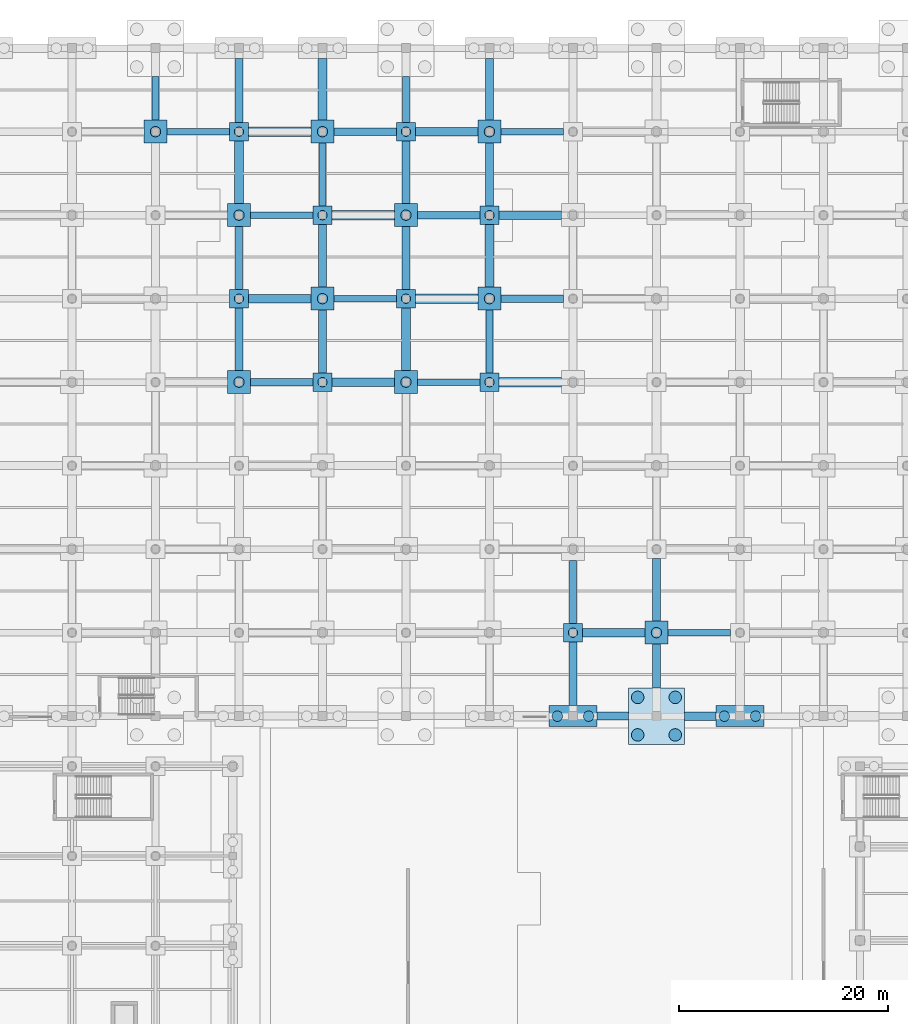
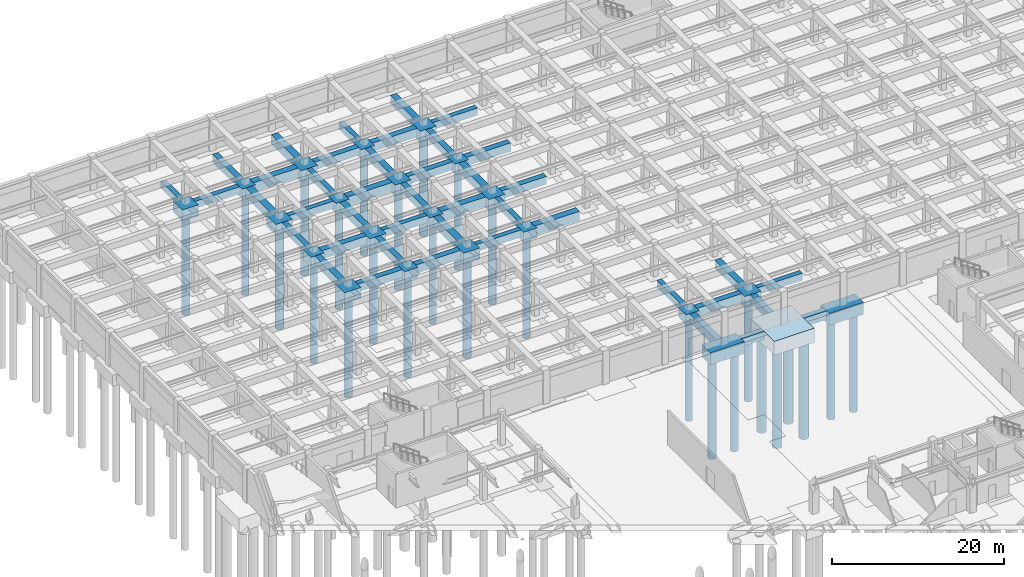
# One storey, part 8 of 48: 64 footings, 27 piles.
"""IFC4 building model written with IfcOpenShell, lengths in metres."""

from ifc_helpers import new_model, si_unit, direction, frame, origin, origin_2d, place, context, subcontext, project, spatial, polyline, rectangle, circle, outline, extrude, material, layer, layer_set, material_profile, profile_set, type_object, element, save


model = new_model("IFC4")

# Units and contexts
model_context = context("Model", 3, precision=1e-05, world=origin(), true_north=direction((0.0, 1.0)))
body_context = subcontext(model_context, "Body", "Model", "MODEL_VIEW")
ifc_project = project(units=[si_unit("LENGTHUNIT", "METRE"), si_unit("AREAUNIT", "SQUARE_METRE"), si_unit("VOLUMEUNIT", "CUBIC_METRE"), si_unit("PLANEANGLEUNIT", "RADIAN"), si_unit("MASSUNIT", "GRAM", prefix="KILO")], contexts=[model_context])

# Site, building, storey
site_placement = place(None, origin())
site = spatial("IfcSite", under=ifc_project, at=site_placement, CompositionType="ELEMENT")
building_placement = place(site_placement, origin())
building = spatial("IfcBuilding", under=site, at=building_placement, Name="Tlacozan Convention Centre", CompositionType="ELEMENT")
storey_placement = place(building_placement, frame((0.0, 0.0, -4.800048828125)))
storey = spatial("IfcBuildingStorey", under=building, at=storey_placement, Name="B01", CompositionType="ELEMENT", Elevation=-4.800048828125)

# Footings
ifc_material = material(Name="Concrete C35/45", Category="concrete")
ifc_layer_1 = layer(ifc_material, 1.0)
ifc_layer_set_1 = layer_set([ifc_layer_1], Name="Concrete C35/45")
footing_type_1 = type_object("IfcFootingType", Name="Foundation Tie Beam 650x1000", PredefinedType="FOOTING_BEAM", material=ifc_layer_set_1)
footing_1_placement = place(storey_placement, frame((0.0, 0.0, -1.0)))
element("IfcFooting", 1, at=footing_1_placement, inside=storey, type_object=footing_type_1, Name="Foundation Tie Beam X-157", PredefinedType="FOOTING_BEAM", context=body_context, shape_type="SweptSolid", body=[
    extrude(outline(polyline([(73.10009765625, 69.675048828125), (79.10009765625, 69.675048828125), (79.10009765625, 70.324951171875), (73.10009765625, 70.324951171875), (73.10009765625, 69.675048828125)])), origin(), (0.0, 0.0, 1.0), 1.0),
])
footing_2_placement = place(storey_placement, frame((0.0, 0.0, -1.0)))
element("IfcFooting", 2, at=footing_2_placement, inside=storey, type_object=footing_type_1, Name="Foundation Tie Beam X-217", PredefinedType="FOOTING_BEAM", context=body_context, shape_type="SweptSolid", body=[
    extrude(outline(polyline([(49.10009765625, 93.675048828125), (55.10009765625, 93.675048828125), (55.10009765625, 94.324951171875), (49.10009765625, 94.324951171875), (49.10009765625, 93.675048828125)])), origin(), (0.0, 0.0, 1.0), 1.0),
])
footing_3_placement = place(storey_placement, frame((0.0, 0.0, -1.0)))
element("IfcFooting", 3, at=footing_3_placement, inside=storey, type_object=footing_type_1, Name="Foundation Tie Beam X-237", PredefinedType="FOOTING_BEAM", context=body_context, shape_type="SweptSolid", body=[
    extrude(outline(polyline([(41.10009765625, 101.675048828125), (47.10009765625, 101.675048828125), (47.10009765625, 102.324951171875), (41.10009765625, 102.324951171875), (41.10009765625, 101.675048828125)])), origin(), (0.0, 0.0, 1.0), 1.0),
])
footing_4_placement = place(storey_placement, frame((0.0, 0.0, -1.0)))
element("IfcFooting", 4, at=footing_4_placement, inside=storey, type_object=footing_type_1, Name="Foundation Tie Beam X-257", PredefinedType="FOOTING_BEAM", context=body_context, shape_type="SweptSolid", body=[
    extrude(outline(polyline([(33.10009765625, 109.675048828125), (39.10009765625, 109.675048828125), (39.10009765625, 110.324951171875), (33.10009765625, 110.324951171875), (33.10009765625, 109.675048828125)])), origin(), (0.0, 0.0, 1.0), 1.0),
])
footing_5_placement = place(storey_placement, frame((0.0, 0.0, -1.0)))
element("IfcFooting", 5, at=footing_5_placement, inside=storey, type_object=footing_type_1, Name="Foundation Tie Beam X-277", PredefinedType="FOOTING_BEAM", context=body_context, shape_type="SweptSolid", body=[
    extrude(outline(polyline([(25.10009765625, 117.675048828125), (31.10009765625, 117.675048828125), (31.10009765625, 118.324951171875), (25.10009765625, 118.324951171875), (25.10009765625, 117.675048828125)])), origin(), (0.0, 0.0, 1.0), 1.0),
])
footing_6_placement = place(storey_placement, frame((0.0, 0.0, -1.0)))
element("IfcFooting", 6, at=footing_6_placement, inside=storey, type_object=footing_type_1, Name="Foundation Tie Beam X-281", PredefinedType="FOOTING_BEAM", context=body_context, shape_type="SweptSolid", body=[
    extrude(outline(polyline([(57.10009765625, 117.675048828125), (63.10009765625, 117.675048828125), (63.10009765625, 118.324951171875), (57.10009765625, 118.324951171875), (57.10009765625, 117.675048828125)])), origin(), (0.0, 0.0, 1.0), 1.0),
])
footing_7_placement = place(storey_placement, frame((0.0, 0.0, -1.0)))
element("IfcFooting", 7, at=footing_7_placement, inside=storey, type_object=footing_type_1, Name="Foundation Tie Beam Y-369", PredefinedType="FOOTING_BEAM", context=body_context, shape_type="SweptSolid", body=[
    extrude(outline(polyline([(23.675048828125, 119.10009765625), (24.324951171875, 119.10009765625), (24.324951171875, 123.300048828125), (23.675048828125, 123.300048828125), (23.675048828125, 119.10009765625)])), origin(), (0.0, 0.0, 1.0), 1.0),
])
footing_8_placement = place(storey_placement, frame((0.0, 0.0, -1.0)))
element("IfcFooting", 8, at=footing_8_placement, inside=storey, type_object=footing_type_1, Name="Foundation Tie Beam Y-381", PredefinedType="FOOTING_BEAM", context=body_context, shape_type="SweptSolid", body=[
    extrude(outline(polyline([(31.675048828125, 102.89990234375), (32.324951171875, 102.89990234375), (32.324951171875, 108.89990234375), (31.675048828125, 108.89990234375), (31.675048828125, 102.89990234375)])), origin(), (0.0, 0.0, 1.0), 1.0),
])
footing_9_placement = place(storey_placement, frame((0.0, 0.0, -1.0)))
element("IfcFooting", 9, at=footing_9_placement, inside=storey, type_object=footing_type_1, Name="Foundation Tie Beam Y-393", PredefinedType="FOOTING_BEAM", context=body_context, shape_type="SweptSolid", body=[
    extrude(outline(polyline([(39.675048828125, 110.89990234375), (40.324951171875, 110.89990234375), (40.324951171875, 116.89990234375), (39.675048828125, 116.89990234375), (39.675048828125, 110.89990234375)])), origin(), (0.0, 0.0, 1.0), 1.0),
])
footing_10_placement = place(storey_placement, frame((0.0, 0.0, -1.0)))
element("IfcFooting", 10, at=footing_10_placement, inside=storey, type_object=footing_type_1, Name="Foundation Tie Beam Y-405", PredefinedType="FOOTING_BEAM", context=body_context, shape_type="SweptSolid", body=[
    extrude(outline(polyline([(47.675048828125, 118.89990234375), (48.324951171875, 118.89990234375), (48.324951171875, 123.300048828125), (47.675048828125, 123.300048828125), (47.675048828125, 118.89990234375)])), origin(), (0.0, 0.0, 1.0), 1.0),
])
footing_11_placement = place(storey_placement, frame((0.0, 0.0, -1.0)))
element("IfcFooting", 11, at=footing_11_placement, inside=storey, type_object=footing_type_1, Name="Foundation Tie Beam Y-413", PredefinedType="FOOTING_BEAM", context=body_context, shape_type="SweptSolid", body=[
    extrude(outline(polyline([(55.675048828125, 94.89990234375), (56.324951171875, 94.89990234375), (56.324951171875, 100.89990234375), (55.675048828125, 100.89990234375), (55.675048828125, 94.89990234375)])), origin(), (0.0, 0.0, 1.0), 1.0),
])
footing_12_placement = place(storey_placement, frame((0.0, 0.0, -1.0)))
element("IfcFooting", 12, at=footing_12_placement, inside=storey, type_object=footing_type_1, Name="Foundation Tie Beam Y-421", PredefinedType="FOOTING_BEAM", context=body_context, shape_type="SweptSolid", body=[
    extrude(outline(polyline([(63.675048828125, 70.89990234375), (64.324951171875, 70.89990234375), (64.324951171875, 76.89990234375), (63.675048828125, 76.89990234375), (63.675048828125, 70.89990234375)])), origin(), (0.0, 0.0, 1.0), 1.0),
])
ifc_layer_2 = layer(ifc_material, 1.10009765625)
ifc_layer_set_2 = layer_set([ifc_layer_2], Name="Concrete C35/45")
footing_type_2 = type_object("IfcFootingType", Name="Foundation Tie Beam 750x1100", PredefinedType="FOOTING_BEAM", material=ifc_layer_set_2)
footing_13_placement = place(storey_placement, frame((0.0, 0.0, -1.099853515625)))
element("IfcFooting", 13, at=footing_13_placement, inside=storey, type_object=footing_type_2, Name="Foundation Tie Beam X-135", PredefinedType="FOOTING_BEAM", context=body_context, shape_type="SweptSolid", body=[
    extrude(outline(polyline([(66.300048828125, 61.625), (69.300048828125, 61.625), (69.300048828125, 62.375), (66.300048828125, 62.375), (66.300048828125, 61.625)])), origin(), (0.0, 0.0, 1.0), 1.099853515625),
])
footing_14_placement = place(storey_placement, frame((0.0, 0.0, -1.099853515625)))
element("IfcFooting", 14, at=footing_14_placement, inside=storey, type_object=footing_type_2, Name="Foundation Tie Beam X-215", PredefinedType="FOOTING_BEAM", context=body_context, shape_type="SweptSolid", body=[
    extrude(outline(polyline([(33.10009765625, 93.625), (39.10009765625, 93.625), (39.10009765625, 94.375), (33.10009765625, 94.375), (33.10009765625, 93.625)])), origin(), (0.0, 0.0, 1.0), 1.099853515625),
])
footing_15_placement = place(storey_placement, frame((0.0, 0.0, -1.099853515625)))
element("IfcFooting", 15, at=footing_15_placement, inside=storey, type_object=footing_type_2, Name="Foundation Tie Beam X-239", PredefinedType="FOOTING_BEAM", context=body_context, shape_type="SweptSolid", body=[
    extrude(outline(polyline([(57.10009765625, 101.625), (63.10009765625, 101.625), (63.10009765625, 102.375), (57.10009765625, 102.375), (57.10009765625, 101.625)])), origin(), (0.0, 0.0, 1.0), 1.099853515625),
])
footing_16_placement = place(storey_placement, frame((0.0, 0.0, -1.099853515625)))
element("IfcFooting", 16, at=footing_16_placement, inside=storey, type_object=footing_type_2, Name="Foundation Tie Beam X-259", PredefinedType="FOOTING_BEAM", context=body_context, shape_type="SweptSolid", body=[
    extrude(outline(polyline([(49.10009765625, 109.625), (55.10009765625, 109.625), (55.10009765625, 110.375), (49.10009765625, 110.375), (49.10009765625, 109.625)])), origin(), (0.0, 0.0, 1.0), 1.099853515625),
])
footing_17_placement = place(storey_placement, frame((0.0, 0.0, -1.099853515625)))
element("IfcFooting", 17, at=footing_17_placement, inside=storey, type_object=footing_type_2, Name="Foundation Tie Beam X-279", PredefinedType="FOOTING_BEAM", context=body_context, shape_type="SweptSolid", body=[
    extrude(outline(polyline([(41.10009765625, 117.625), (47.10009765625, 117.625), (47.10009765625, 118.375), (41.10009765625, 118.375), (41.10009765625, 117.625)])), origin(), (0.0, 0.0, 1.0), 1.099853515625),
])
footing_18_placement = place(storey_placement, frame((0.0, 0.0, -1.099853515625)))
element("IfcFooting", 18, at=footing_18_placement, inside=storey, type_object=footing_type_2, Name="Foundation Tie Beam Y-383", PredefinedType="FOOTING_BEAM", context=body_context, shape_type="SweptSolid", body=[
    extrude(outline(polyline([(31.625, 118.89990234375), (32.375, 118.89990234375), (32.375, 125.0), (31.625, 125.0), (31.625, 118.89990234375)])), origin(), (0.0, 0.0, 1.0), 1.099853515625),
])
footing_19_placement = place(storey_placement, frame((0.0, 0.0, -1.099853515625)))
element("IfcFooting", 19, at=footing_19_placement, inside=storey, type_object=footing_type_2, Name="Foundation Tie Beam Y-391", PredefinedType="FOOTING_BEAM", context=body_context, shape_type="SweptSolid", body=[
    extrude(outline(polyline([(39.625, 94.89990234375), (40.375, 94.89990234375), (40.375, 100.89990234375), (39.625, 100.89990234375), (39.625, 94.89990234375)])), origin(), (0.0, 0.0, 1.0), 1.099853515625),
])
footing_20_placement = place(storey_placement, frame((0.0, 0.0, -1.099853515625)))
element("IfcFooting", 20, at=footing_20_placement, inside=storey, type_object=footing_type_2, Name="Foundation Tie Beam Y-403", PredefinedType="FOOTING_BEAM", context=body_context, shape_type="SweptSolid", body=[
    extrude(outline(polyline([(47.625, 102.89990234375), (48.375, 102.89990234375), (48.375, 108.89990234375), (47.625, 108.89990234375), (47.625, 102.89990234375)])), origin(), (0.0, 0.0, 1.0), 1.099853515625),
])
footing_21_placement = place(storey_placement, frame((0.0, 0.0, -1.099853515625)))
element("IfcFooting", 21, at=footing_21_placement, inside=storey, type_object=footing_type_2, Name="Foundation Tie Beam Y-415", PredefinedType="FOOTING_BEAM", context=body_context, shape_type="SweptSolid", body=[
    extrude(outline(polyline([(55.625, 110.89990234375), (56.375, 110.89990234375), (56.375, 116.89990234375), (55.625, 116.89990234375), (55.625, 110.89990234375)])), origin(), (0.0, 0.0, 1.0), 1.099853515625),
])
footing_22_placement = place(storey_placement, frame((0.0, 0.0, -1.099853515625)))
element("IfcFooting", 22, at=footing_22_placement, inside=storey, type_object=footing_type_2, Name="Foundation Tie Beam Y-431", PredefinedType="FOOTING_BEAM", context=body_context, shape_type="SweptSolid", body=[
    extrude(outline(polyline([(71.625, 64.699951171875), (72.375, 64.699951171875), (72.375, 68.89990234375), (71.625, 68.89990234375), (71.625, 64.699951171875)])), origin(), (0.0, 0.0, 1.0), 1.099853515625),
])
ifc_layer_3 = layer(ifc_material, 1.199951171875)
ifc_layer_set_3 = layer_set([ifc_layer_3], Name="Concrete C35/45")
footing_type_3 = type_object("IfcFootingType", Name="Foundation Tie Beam 800x1200", PredefinedType="FOOTING_BEAM", material=ifc_layer_set_3)
footing_23_placement = place(storey_placement, frame((0.0, 0.0, -1.199951171875)))
element("IfcFooting", 23, at=footing_23_placement, inside=storey, type_object=footing_type_3, Name="Foundation Tie Beam X-136", PredefinedType="FOOTING_BEAM", context=body_context, shape_type="SweptSolid", body=[
    extrude(outline(polyline([(74.699951171875, 61.60009765625), (77.699951171875, 61.60009765625), (77.699951171875, 62.39990234375), (74.699951171875, 62.39990234375), (74.699951171875, 61.60009765625)])), origin(), (0.0, 0.0, 1.0), 1.199951171875),
])
footing_24_placement = place(storey_placement, frame((0.0, 0.0, -1.199951171875)))
element("IfcFooting", 24, at=footing_24_placement, inside=storey, type_object=footing_type_3, Name="Foundation Tie Beam X-156", PredefinedType="FOOTING_BEAM", context=body_context, shape_type="SweptSolid", body=[
    extrude(outline(polyline([(64.89990234375, 69.60009765625), (70.89990234375, 69.60009765625), (70.89990234375, 70.39990234375), (64.89990234375, 70.39990234375), (64.89990234375, 69.60009765625)])), origin(), (0.0, 0.0, 1.0), 1.199951171875),
])
footing_25_placement = place(storey_placement, frame((0.0, 0.0, -1.199951171875)))
element("IfcFooting", 25, at=footing_25_placement, inside=storey, type_object=footing_type_3, Name="Foundation Tie Beam X-216", PredefinedType="FOOTING_BEAM", context=body_context, shape_type="SweptSolid", body=[
    extrude(outline(polyline([(40.89990234375, 93.60009765625), (46.89990234375, 93.60009765625), (46.89990234375, 94.39990234375), (40.89990234375, 94.39990234375), (40.89990234375, 93.60009765625)])), origin(), (0.0, 0.0, 1.0), 1.199951171875),
])
footing_26_placement = place(storey_placement, frame((0.0, 0.0, -1.199951171875)))
element("IfcFooting", 26, at=footing_26_placement, inside=storey, type_object=footing_type_3, Name="Foundation Tie Beam X-236", PredefinedType="FOOTING_BEAM", context=body_context, shape_type="SweptSolid", body=[
    extrude(outline(polyline([(32.89990234375, 101.60009765625), (38.89990234375, 101.60009765625), (38.89990234375, 102.39990234375), (32.89990234375, 102.39990234375), (32.89990234375, 101.60009765625)])), origin(), (0.0, 0.0, 1.0), 1.199951171875),
])
footing_27_placement = place(storey_placement, frame((0.0, 0.0, -1.199951171875)))
element("IfcFooting", 27, at=footing_27_placement, inside=storey, type_object=footing_type_3, Name="Foundation Tie Beam X-260", PredefinedType="FOOTING_BEAM", context=body_context, shape_type="SweptSolid", body=[
    extrude(outline(polyline([(56.89990234375, 109.60009765625), (62.89990234375, 109.60009765625), (62.89990234375, 110.39990234375), (56.89990234375, 110.39990234375), (56.89990234375, 109.60009765625)])), origin(), (0.0, 0.0, 1.0), 1.199951171875),
])
footing_28_placement = place(storey_placement, frame((0.0, 0.0, -1.199951171875)))
element("IfcFooting", 28, at=footing_28_placement, inside=storey, type_object=footing_type_3, Name="Foundation Tie Beam X-280", PredefinedType="FOOTING_BEAM", context=body_context, shape_type="SweptSolid", body=[
    extrude(outline(polyline([(48.89990234375, 117.60009765625), (54.89990234375, 117.60009765625), (54.89990234375, 118.39990234375), (48.89990234375, 118.39990234375), (48.89990234375, 117.60009765625)])), origin(), (0.0, 0.0, 1.0), 1.199951171875),
])
footing_29_placement = place(storey_placement, frame((0.0, 0.0, -1.199951171875)))
element("IfcFooting", 29, at=footing_29_placement, inside=storey, type_object=footing_type_3, Name="Foundation Tie Beam Y-380", PredefinedType="FOOTING_BEAM", context=body_context, shape_type="SweptSolid", body=[
    extrude(outline(polyline([(31.60009765625, 95.10009765625), (32.39990234375, 95.10009765625), (32.39990234375, 101.10009765625), (31.60009765625, 101.10009765625), (31.60009765625, 95.10009765625)])), origin(), (0.0, 0.0, 1.0), 1.199951171875),
])
footing_30_placement = place(storey_placement, frame((0.0, 0.0, -1.199951171875)))
element("IfcFooting", 30, at=footing_30_placement, inside=storey, type_object=footing_type_3, Name="Foundation Tie Beam Y-392", PredefinedType="FOOTING_BEAM", context=body_context, shape_type="SweptSolid", body=[
    extrude(outline(polyline([(39.60009765625, 103.10009765625), (40.39990234375, 103.10009765625), (40.39990234375, 109.10009765625), (39.60009765625, 109.10009765625), (39.60009765625, 103.10009765625)])), origin(), (0.0, 0.0, 1.0), 1.199951171875),
])
footing_31_placement = place(storey_placement, frame((0.0, 0.0, -1.199951171875)))
element("IfcFooting", 31, at=footing_31_placement, inside=storey, type_object=footing_type_3, Name="Foundation Tie Beam Y-404", PredefinedType="FOOTING_BEAM", context=body_context, shape_type="SweptSolid", body=[
    extrude(outline(polyline([(47.60009765625, 111.10009765625), (48.39990234375, 111.10009765625), (48.39990234375, 117.10009765625), (47.60009765625, 117.10009765625), (47.60009765625, 111.10009765625)])), origin(), (0.0, 0.0, 1.0), 1.199951171875),
])
footing_32_placement = place(storey_placement, frame((0.0, 0.0, -1.199951171875)))
element("IfcFooting", 32, at=footing_32_placement, inside=storey, type_object=footing_type_3, Name="Foundation Tie Beam Y-416", PredefinedType="FOOTING_BEAM", context=body_context, shape_type="SweptSolid", body=[
    extrude(outline(polyline([(55.60009765625, 119.10009765625), (56.39990234375, 119.10009765625), (56.39990234375, 125.0), (55.60009765625, 125.0), (55.60009765625, 119.10009765625)])), origin(), (0.0, 0.0, 1.0), 1.199951171875),
])
footing_33_placement = place(storey_placement, frame((0.0, 0.0, -1.199951171875)))
element("IfcFooting", 33, at=footing_33_placement, inside=storey, type_object=footing_type_3, Name="Foundation Tie Beam Y-420", PredefinedType="FOOTING_BEAM", context=body_context, shape_type="SweptSolid", body=[
    extrude(outline(polyline([(63.60009765625, 63.0), (64.39990234375, 63.0), (64.39990234375, 69.10009765625), (63.60009765625, 69.10009765625), (63.60009765625, 63.0)])), origin(), (0.0, 0.0, 1.0), 1.199951171875),
])
footing_34_placement = place(storey_placement, frame((0.0, 0.0, -1.199951171875)))
element("IfcFooting", 34, at=footing_34_placement, inside=storey, type_object=footing_type_3, Name="Foundation Tie Beam Y-432", PredefinedType="FOOTING_BEAM", context=body_context, shape_type="SweptSolid", body=[
    extrude(outline(polyline([(71.60009765625, 71.10009765625), (72.39990234375, 71.10009765625), (72.39990234375, 77.10009765625), (71.60009765625, 77.10009765625), (71.60009765625, 71.10009765625)])), origin(), (0.0, 0.0, 1.0), 1.199951171875),
])
ifc_layer_4 = layer(ifc_material, 1.300048828125)
ifc_layer_set_4 = layer_set([ifc_layer_4], Name="Concrete C35/45")
footing_type_4 = type_object("IfcFootingType", Name="Foundation Tie Beam 900x1300", PredefinedType="FOOTING_BEAM", material=ifc_layer_set_4)
footing_35_placement = place(storey_placement, frame((0.0, 0.0, -1.300048828125)))
element("IfcFooting", 35, at=footing_35_placement, inside=storey, type_object=footing_type_4, Name="Foundation Tie Beam X-218", PredefinedType="FOOTING_BEAM", context=body_context, shape_type="SweptSolid", body=[
    extrude(outline(polyline([(56.89990234375, 93.550048828125), (62.89990234375, 93.550048828125), (62.89990234375, 94.449951171875), (56.89990234375, 94.449951171875), (56.89990234375, 93.550048828125)])), origin(), (0.0, 0.0, 1.0), 1.300048828125),
])
footing_36_placement = place(storey_placement, frame((0.0, 0.0, -1.300048828125)))
element("IfcFooting", 36, at=footing_36_placement, inside=storey, type_object=footing_type_4, Name="Foundation Tie Beam X-238", PredefinedType="FOOTING_BEAM", context=body_context, shape_type="SweptSolid", body=[
    extrude(outline(polyline([(48.89990234375, 101.550048828125), (54.89990234375, 101.550048828125), (54.89990234375, 102.449951171875), (48.89990234375, 102.449951171875), (48.89990234375, 101.550048828125)])), origin(), (0.0, 0.0, 1.0), 1.300048828125),
])
footing_37_placement = place(storey_placement, frame((0.0, 0.0, -1.300048828125)))
element("IfcFooting", 37, at=footing_37_placement, inside=storey, type_object=footing_type_4, Name="Foundation Tie Beam X-258", PredefinedType="FOOTING_BEAM", context=body_context, shape_type="SweptSolid", body=[
    extrude(outline(polyline([(40.89990234375, 109.550048828125), (46.89990234375, 109.550048828125), (46.89990234375, 110.449951171875), (40.89990234375, 110.449951171875), (40.89990234375, 109.550048828125)])), origin(), (0.0, 0.0, 1.0), 1.300048828125),
])
footing_38_placement = place(storey_placement, frame((0.0, 0.0, -1.300048828125)))
element("IfcFooting", 38, at=footing_38_placement, inside=storey, type_object=footing_type_4, Name="Foundation Tie Beam X-278", PredefinedType="FOOTING_BEAM", context=body_context, shape_type="SweptSolid", body=[
    extrude(outline(polyline([(32.89990234375, 117.550048828125), (38.89990234375, 117.550048828125), (38.89990234375, 118.449951171875), (32.89990234375, 118.449951171875), (32.89990234375, 117.550048828125)])), origin(), (0.0, 0.0, 1.0), 1.300048828125),
])
footing_39_placement = place(storey_placement, frame((0.0, 0.0, -1.300048828125)))
element("IfcFooting", 39, at=footing_39_placement, inside=storey, type_object=footing_type_4, Name="Foundation Tie Beam Y-382", PredefinedType="FOOTING_BEAM", context=body_context, shape_type="SweptSolid", body=[
    extrude(outline(polyline([(31.550048828125, 111.10009765625), (32.449951171875, 111.10009765625), (32.449951171875, 117.10009765625), (31.550048828125, 117.10009765625), (31.550048828125, 111.10009765625)])), origin(), (0.0, 0.0, 1.0), 1.300048828125),
])
footing_40_placement = place(storey_placement, frame((0.0, 0.0, -1.300048828125)))
element("IfcFooting", 40, at=footing_40_placement, inside=storey, type_object=footing_type_4, Name="Foundation Tie Beam Y-394", PredefinedType="FOOTING_BEAM", context=body_context, shape_type="SweptSolid", body=[
    extrude(outline(polyline([(39.550048828125, 119.10009765625), (40.449951171875, 119.10009765625), (40.449951171875, 125.0), (39.550048828125, 125.0), (39.550048828125, 119.10009765625)])), origin(), (0.0, 0.0, 1.0), 1.300048828125),
])
footing_41_placement = place(storey_placement, frame((0.0, 0.0, -1.300048828125)))
element("IfcFooting", 41, at=footing_41_placement, inside=storey, type_object=footing_type_4, Name="Foundation Tie Beam Y-402", PredefinedType="FOOTING_BEAM", context=body_context, shape_type="SweptSolid", body=[
    extrude(outline(polyline([(47.550048828125, 95.10009765625), (48.449951171875, 95.10009765625), (48.449951171875, 101.10009765625), (47.550048828125, 101.10009765625), (47.550048828125, 95.10009765625)])), origin(), (0.0, 0.0, 1.0), 1.300048828125),
])
footing_42_placement = place(storey_placement, frame((0.0, 0.0, -1.300048828125)))
element("IfcFooting", 42, at=footing_42_placement, inside=storey, type_object=footing_type_4, Name="Foundation Tie Beam Y-414", PredefinedType="FOOTING_BEAM", context=body_context, shape_type="SweptSolid", body=[
    extrude(outline(polyline([(55.550048828125, 103.10009765625), (56.449951171875, 103.10009765625), (56.449951171875, 109.10009765625), (55.550048828125, 109.10009765625), (55.550048828125, 103.10009765625)])), origin(), (0.0, 0.0, 1.0), 1.300048828125),
])
ifc_layer_5 = layer(ifc_material, 1.39990234375)
ifc_layer_set_5 = layer_set([ifc_layer_5], Name="Concrete C35/45")
footing_type_5 = type_object("IfcFootingType", Name="Pile Cap 1P 1800x1800x1400", PredefinedType="PILE_CAP", material=ifc_layer_set_5)
for number, where, z_axis, x_axis, name in (
    (43, (32.0, 102.0, -1.39990234375), (0.0, 0.0, 1.0), (1.0, 0.0, 0.0), "Pile Cap PC-01 (77)"),
    (44, (32.0, 118.0, -1.39990234375), (0.0, 0.0, 1.0), (1.0, 0.0, 0.0), "Pile Cap PC-01 (79)"),
    (45, (40.0, 94.0, -1.39990234375), (0.0, 0.0, 1.0), (1.0, 0.0, 0.0), "Pile Cap PC-01 (89)"),
    (46, (40.0, 110.0, -1.39990234375), (0.0, 0.0, 1.0), (1.0, 0.0, 0.0), "Pile Cap PC-01 (91)"),
    (47, (48.0, 102.0, -1.39990234375), (0.0, 0.0, 1.0), (1.0, 0.0, 0.0), "Pile Cap PC-01 (103)"),
    (48, (48.0, 118.0, -1.39990234375), (0.0, 0.0, 1.0), (1.0, 0.0, 0.0), "Pile Cap PC-01 (105)"),
    (49, (56.0, 94.0, -1.39990234375), (0.0, 0.0, 1.0), (1.0, 0.0, 0.0), "Pile Cap PC-01 (115)"),
    (50, (56.0, 110.0, -1.39990234375), (0.0, 0.0, 1.0), (1.0, 0.0, 0.0), "Pile Cap PC-01 (117)"),
    (51, (64.0, 70.0, -1.39990234375), (0.0, 0.0, 1.0), (1.0, 0.0, 0.0), "Pile Cap PC-01 (125)"),
):
    element("IfcFooting", number, at=place(storey_placement, frame(where, z_axis=z_axis, x_axis=x_axis)), inside=storey, type_object=footing_type_5, Name=name, PredefinedType="PILE_CAP", context=body_context, shape_type="SweptSolid", body=[
        extrude(rectangle(XDim=1.800048828125, YDim=1.800048828125, at=origin_2d()), origin(), (0.0, 0.0, 1.0), 1.39990234375),
    ])
ifc_layer_6 = layer(ifc_material, 1.550048828125)
ifc_layer_set_6 = layer_set([ifc_layer_6], Name="Concrete C35/45")
footing_type_6 = type_object("IfcFootingType", Name="Pile Cap 1P 2200x2200x1550", PredefinedType="PILE_CAP", material=ifc_layer_set_6)
for number, where, z_axis, x_axis, name in (
    (52, (24.0, 118.0, -1.5498046875), (0.0, 0.0, 1.0), (1.0, 0.0, 0.0), "Pile Cap PC-09 (62)"),
    (53, (32.0, 94.0, -1.5498046875), (0.0, 0.0, 1.0), (1.0, 0.0, 0.0), "Pile Cap PC-09 (76)"),
    (54, (32.0, 110.0, -1.5498046875), (0.0, 0.0, 1.0), (1.0, 0.0, 0.0), "Pile Cap PC-09 (78)"),
    (55, (40.0, 102.0, -1.5498046875), (0.0, 0.0, 1.0), (1.0, 0.0, 0.0), "Pile Cap PC-09 (90)"),
    (56, (40.0, 118.0, -1.5498046875), (0.0, 0.0, 1.0), (1.0, 0.0, 0.0), "Pile Cap PC-09 (92)"),
    (57, (48.0, 94.0, -1.5498046875), (0.0, 0.0, 1.0), (1.0, 0.0, 0.0), "Pile Cap PC-09 (102)"),
    (58, (48.0, 110.0, -1.5498046875), (0.0, 0.0, 1.0), (1.0, 0.0, 0.0), "Pile Cap PC-09 (104)"),
    (59, (56.0, 102.0, -1.5498046875), (0.0, 0.0, 1.0), (1.0, 0.0, 0.0), "Pile Cap PC-09 (116)"),
    (60, (56.0, 118.0, -1.5498046875), (0.0, 0.0, 1.0), (1.0, 0.0, 0.0), "Pile Cap PC-09 (118)"),
    (61, (72.0, 70.0, -1.5498046875), (0.0, 0.0, 1.0), (1.0, 0.0, 0.0), "Pile Cap PC-09 (138)"),
):
    element("IfcFooting", number, at=place(storey_placement, frame(where, z_axis=z_axis, x_axis=x_axis)), inside=storey, type_object=footing_type_6, Name=name, PredefinedType="PILE_CAP", context=body_context, shape_type="SweptSolid", body=[
        extrude(rectangle(XDim=2.199951171875, YDim=2.199951171875, at=origin_2d()), origin(), (0.0, 0.0, 1.0), 1.550048828125),
    ])
ifc_layer_7 = layer(ifc_material, 1.699951171875)
ifc_layer_set_7 = layer_set([ifc_layer_7], Name="Concrete C35/45")
footing_type_7 = type_object("IfcFootingType", Name="Pile Cap 2P 4600x2000x1700", PredefinedType="PILE_CAP", material=ifc_layer_set_7)
for number, where, z_axis, x_axis, name in (
    (62, (64.0, 62.0, -1.69970703125), (0.0, 0.0, 1.0), (1.0, 0.0, 0.0), "Pile Cap PC-05 (124)"),
    (63, (80.0, 62.0, -1.69970703125), (0.0, 0.0, 1.0), (1.0, 0.0, 0.0), "Pile Cap PC-05 (150)"),
):
    element("IfcFooting", number, at=place(storey_placement, frame(where, z_axis=z_axis, x_axis=x_axis)), inside=storey, type_object=footing_type_7, Name=name, PredefinedType="PILE_CAP", context=body_context, shape_type="SweptSolid", body=[
        extrude(rectangle(XDim=4.60009765625, YDim=2.0, at=origin_2d()), origin(), (0.0, 0.0, 1.0), 1.699951171875),
    ])
ifc_layer_8 = layer(ifc_material, 2.0)
ifc_layer_set_8 = layer_set([ifc_layer_8], Name="Concrete C35/45")
footing_type_8 = type_object("IfcFootingType", Name="Pile Cap 4P 5400x5400x2000", PredefinedType="PILE_CAP", material=ifc_layer_set_8)
footing_43_placement = place(storey_placement, frame((72.0, 62.0, -2.0), z_axis=(0.0, 0.0, 1.0), x_axis=(1.0, 0.0, 0.0)))
element("IfcFooting", 64, at=footing_43_placement, inside=storey, type_object=footing_type_8, Name="Pile Cap PC-08 (137)", PredefinedType="PILE_CAP", context=body_context, shape_type="SweptSolid", body=[
    extrude(rectangle(XDim=5.39990234375, YDim=5.39990234375, at=origin_2d()), origin(), (0.0, 0.0, 1.0), 2.0),
])

# Piles
ifc_material_profile_1 = material_profile(ifc_material, circle(Radius=0.5, at=origin_2d()), Name="PILE D1000")
ifc_profile_set_1 = profile_set([ifc_material_profile_1], Name="Concrete C35/45")
pile_type_1 = type_object("IfcPileType", Name="Pile D1000 Bored", PredefinedType="BORED", material=ifc_profile_set_1)
for number, where, z_axis, x_axis, name in (
    (65, (24.0, 118.0, -1.429931640625), (0.0, 0.0, -1.0), (1.0, 0.0, 0.0), "Bored Pile 116"),
    (66, (32.0, 94.0, -1.429931640625), (0.0, 0.0, -1.0), (1.0, 0.0, 0.0), "Bored Pile 146"),
    (67, (32.0, 110.0, -1.429931640625), (0.0, 0.0, -1.0), (1.0, 0.0, 0.0), "Bored Pile 148"),
    (68, (40.0, 102.0, -1.429931640625), (0.0, 0.0, -1.0), (1.0, 0.0, 0.0), "Bored Pile 172"),
    (69, (40.0, 118.0, -1.429931640625), (0.0, 0.0, -1.0), (1.0, 0.0, 0.0), "Bored Pile 174"),
    (70, (48.0, 94.0, -1.429931640625), (0.0, 0.0, -1.0), (1.0, 0.0, 0.0), "Bored Pile 198"),
    (71, (48.0, 110.0, -1.429931640625), (0.0, 0.0, -1.0), (1.0, 0.0, 0.0), "Bored Pile 200"),
    (72, (56.0, 102.0, -1.429931640625), (0.0, 0.0, -1.0), (1.0, 0.0, 0.0), "Bored Pile 226"),
    (73, (56.0, 118.0, -1.429931640625), (0.0, 0.0, -1.0), (1.0, 0.0, 0.0), "Bored Pile 228"),
):
    element("IfcPile", number, at=place(storey_placement, frame(where, z_axis=z_axis, x_axis=x_axis)), inside=storey, type_object=pile_type_1, Name=name, PredefinedType="BORED", context=body_context, shape_type="SweptSolid", body=[
        extrude(circle(Radius=0.5, at=origin_2d()), origin(), (0.0, 0.0, 1.0), 14.27001953125),
    ])
for number, where, z_axis, x_axis, name in (
    (74, (62.5, 62.0, -1.579833984375), (0.0, 0.0, -1.0), (1.0, 0.0, 0.0), "Bored Pile 245"),
    (75, (65.5, 62.0, -1.579833984375), (0.0, 0.0, -1.0), (1.0, 0.0, 0.0), "Bored Pile 246"),
):
    element("IfcPile", number, at=place(storey_placement, frame(where, z_axis=z_axis, x_axis=x_axis)), inside=storey, type_object=pile_type_1, Name=name, PredefinedType="BORED", context=body_context, shape_type="SweptSolid", body=[
        extrude(circle(Radius=0.5, at=origin_2d()), origin(), (0.0, 0.0, 1.0), 14.1201171875),
    ])
pile_placement = place(storey_placement, frame((72.0, 70.0, -1.429931640625), z_axis=(0.0, 0.0, -1.0), x_axis=(1.0, 0.0, 0.0)))
element("IfcPile", 76, at=pile_placement, inside=storey, type_object=pile_type_1, Name="Bored Pile 274", PredefinedType="BORED", context=body_context, shape_type="SweptSolid", body=[
    extrude(circle(Radius=0.5, at=origin_2d()), origin(), (0.0, 0.0, 1.0), 14.27001953125),
])
for number, where, z_axis, x_axis, name in (
    (77, (78.5, 62.0, -1.579833984375), (0.0, 0.0, -1.0), (1.0, 0.0, 0.0), "Bored Pile 299"),
    (78, (81.5, 62.0, -1.579833984375), (0.0, 0.0, -1.0), (1.0, 0.0, 0.0), "Bored Pile 300"),
):
    element("IfcPile", number, at=place(storey_placement, frame(where, z_axis=z_axis, x_axis=x_axis)), inside=storey, type_object=pile_type_1, Name=name, PredefinedType="BORED", context=body_context, shape_type="SweptSolid", body=[
        extrude(circle(Radius=0.5, at=origin_2d()), origin(), (0.0, 0.0, 1.0), 14.1201171875),
    ])
ifc_material_profile_2 = material_profile(ifc_material, circle(Radius=0.60009765625, at=origin_2d()), Name="PILE D1200")
ifc_profile_set_2 = profile_set([ifc_material_profile_2], Name="Concrete C35/45")
pile_type_2 = type_object("IfcPileType", Name="Pile D1200 Bored", PredefinedType="BORED", material=ifc_profile_set_2)
for number, where, z_axis, x_axis, name in (
    (79, (70.199951171875, 60.199951171875, -1.8798828125), (0.0, 0.0, -1.0), (1.0, 0.0, 0.0), "Bored Pile 270"),
    (80, (73.800048828125, 60.199951171875, -1.8798828125), (0.0, 0.0, -1.0), (1.0, 0.0, 0.0), "Bored Pile 271"),
    (81, (70.199951171875, 63.800048828125, -1.8798828125), (0.0, 0.0, -1.0), (1.0, 0.0, 0.0), "Bored Pile 272"),
    (82, (73.800048828125, 63.800048828125, -1.8798828125), (0.0, 0.0, -1.0), (1.0, 0.0, 0.0), "Bored Pile 273"),
):
    element("IfcPile", number, at=place(storey_placement, frame(where, z_axis=z_axis, x_axis=x_axis)), inside=storey, type_object=pile_type_2, Name=name, PredefinedType="BORED", context=body_context, shape_type="SweptSolid", body=[
        extrude(circle(Radius=0.60009765625, at=origin_2d()), origin(), (0.0, 0.0, 1.0), 13.820068359375),
    ])
ifc_material_profile_3 = material_profile(ifc_material, circle(Radius=0.449951171875, at=origin_2d()), Name="PILE D900")
ifc_profile_set_3 = profile_set([ifc_material_profile_3], Name="Concrete C35/45")
pile_type_3 = type_object("IfcPileType", Name="Pile D900 Bored", PredefinedType="BORED", material=ifc_profile_set_3)
for number, where, z_axis, x_axis, name in (
    (83, (32.0, 102.0, -1.280029296875), (0.0, 0.0, -1.0), (1.0, 0.0, 0.0), "Bored Pile 147"),
    (84, (32.0, 118.0, -1.280029296875), (0.0, 0.0, -1.0), (1.0, 0.0, 0.0), "Bored Pile 149"),
    (85, (40.0, 94.0, -1.280029296875), (0.0, 0.0, -1.0), (1.0, 0.0, 0.0), "Bored Pile 171"),
    (86, (40.0, 110.0, -1.280029296875), (0.0, 0.0, -1.0), (1.0, 0.0, 0.0), "Bored Pile 173"),
    (87, (48.0, 102.0, -1.280029296875), (0.0, 0.0, -1.0), (1.0, 0.0, 0.0), "Bored Pile 199"),
    (88, (48.0, 118.0, -1.280029296875), (0.0, 0.0, -1.0), (1.0, 0.0, 0.0), "Bored Pile 201"),
    (89, (56.0, 94.0, -1.280029296875), (0.0, 0.0, -1.0), (1.0, 0.0, 0.0), "Bored Pile 225"),
    (90, (56.0, 110.0, -1.280029296875), (0.0, 0.0, -1.0), (1.0, 0.0, 0.0), "Bored Pile 227"),
    (91, (64.0, 70.0, -1.280029296875), (0.0, 0.0, -1.0), (1.0, 0.0, 0.0), "Bored Pile 247"),
):
    element("IfcPile", number, at=place(storey_placement, frame(where, z_axis=z_axis, x_axis=x_axis)), inside=storey, type_object=pile_type_3, Name=name, PredefinedType="BORED", context=body_context, shape_type="SweptSolid", body=[
        extrude(circle(Radius=0.449951171875, at=origin_2d()), origin(), (0.0, 0.0, 1.0), 14.419921875),
    ])

save(model, "model.ifc")
